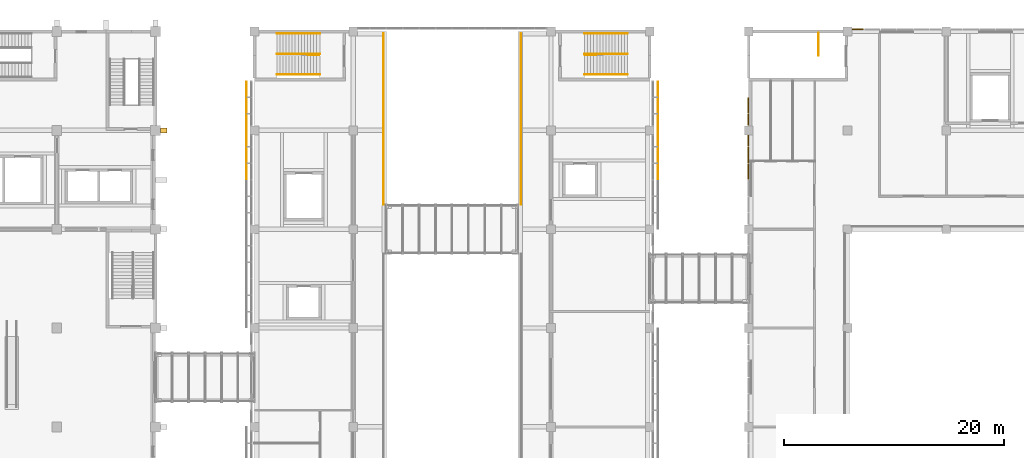
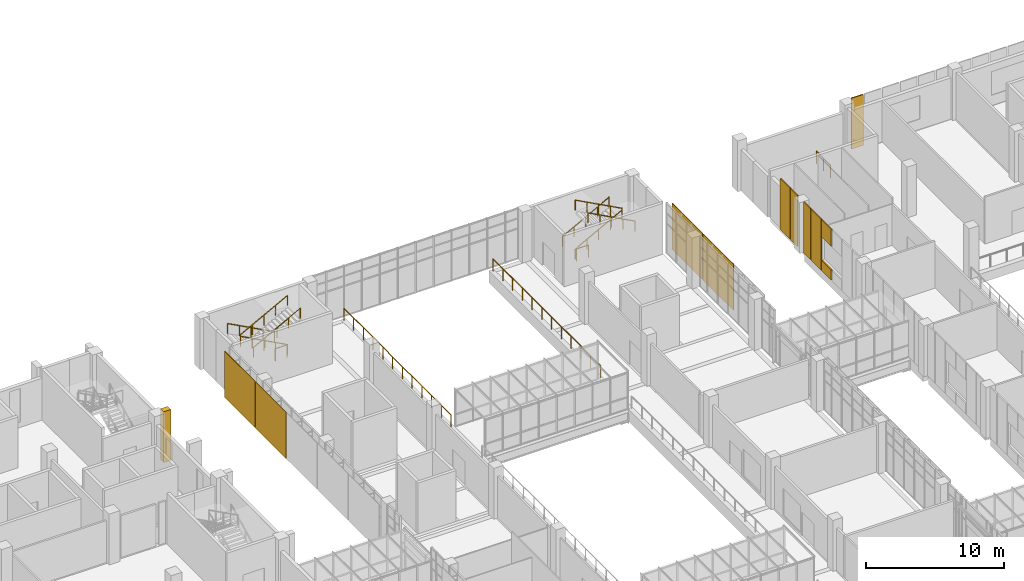
# One storey, part 83 of 88: 13 railings, 12 coverings.
"""IFC4 building model written with IfcOpenShell, lengths in metres."""

from ifc_helpers import new_model, si_unit, direction, frame, origin, origin_2d, place, context, subcontext, project, spatial, rectangle, circle, extrude, material, layer, layer_set, type_object, element, save


model = new_model("IFC4")

# Units and contexts
model_context = context("Model", 3, precision=1e-05, world=origin(), true_north=direction((0.0, 1.0)))
body_context = subcontext(model_context, "Body", "Model", "MODEL_VIEW")
ifc_project = project(units=[si_unit("LENGTHUNIT", "METRE"), si_unit("AREAUNIT", "SQUARE_METRE"), si_unit("VOLUMEUNIT", "CUBIC_METRE"), si_unit("PLANEANGLEUNIT", "RADIAN"), si_unit("MASSUNIT", "GRAM", prefix="KILO")], contexts=[model_context])

# Site, building, storey
site_placement = place(None, origin())
site = spatial("IfcSite", under=ifc_project, at=site_placement, CompositionType="ELEMENT")
building_placement = place(site_placement, origin())
building = spatial("IfcBuilding", under=site, at=building_placement, Name="Guidao Yard Department Store", CompositionType="ELEMENT")
storey_placement = place(building_placement, frame((0.0, 0.0, 6.0)))
storey = spatial("IfcBuildingStorey", under=building, at=storey_placement, Name="L01", CompositionType="ELEMENT", Elevation=6.0)

# Coverings
ifc_material_1 = material(Name="Clinker brick", Category="masonry")
ifc_layer_1 = layer(ifc_material_1, 0.10009765625)
ifc_layer_set_1 = layer_set([ifc_layer_1], Name="Clinker brick panel BR1 on rainscreen")
covering_type_1 = type_object("IfcCoveringType", Name="Clinker brick panel BR1 on rainscreen", PredefinedType="CLADDING", material=ifc_layer_set_1)
covering_1_placement = place(storey_placement, frame((116.949951171875, 95.25, 0.0), z_axis=(0.0, 0.0, 1.0), x_axis=(0.0, 1.0, 0.0)))
element("IfcCovering", 1, at=covering_1_placement, inside=storey, type_object=covering_type_1, Name="Clinker brick panel", PredefinedType="CLADDING", context=body_context, shape_type="SweptSolid", body=[
    extrude(rectangle(XDim=1.39990234375, YDim=0.10009765625, at=origin_2d()), origin(), (0.0, 0.0, 1.0), 0.89990234375),
])
covering_2_placement = place(storey_placement, frame((116.949951171875, 95.25, 3.0), z_axis=(0.0, 0.0, 1.0), x_axis=(0.0, 1.0, 0.0)))
element("IfcCovering", 2, at=covering_2_placement, inside=storey, type_object=covering_type_1, Name="Clinker brick panel", PredefinedType="CLADDING", context=body_context, shape_type="SweptSolid", body=[
    extrude(rectangle(XDim=1.39990234375, YDim=0.10009765625, at=origin_2d()), origin(), (0.0, 0.0, 1.0), 1.5),
])
covering_3_placement = place(storey_placement, frame((116.949951171875, 96.75, 0.0), z_axis=(0.0, 0.0, 1.0), x_axis=(0.0, 1.0, 0.0)))
element("IfcCovering", 3, at=covering_3_placement, inside=storey, type_object=covering_type_1, Name="Clinker brick panel", PredefinedType="CLADDING", context=body_context, shape_type="SweptSolid", body=[
    extrude(rectangle(XDim=1.39990234375, YDim=0.10009765625, at=origin_2d()), origin(), (0.0, 0.0, 1.0), 4.5),
])
for number, where, z_axis, x_axis, name in (
    (4, (116.949951171875, 98.050048828125, 0.0), (0.0, 0.0, 1.0), (0.0, 1.0, 0.0), "Clinker brick panel"),
    (5, (116.949951171875, 99.949951171875, 0.0), (0.0, 0.0, 1.0), (0.0, 1.0, 0.0), "Clinker brick panel"),
):
    element("IfcCovering", number, at=place(storey_placement, frame(where, z_axis=z_axis, x_axis=x_axis)), inside=storey, type_object=covering_type_1, Name=name, PredefinedType="CLADDING", context=body_context, shape_type="SweptSolid", body=[
        extrude(rectangle(XDim=1.0, YDim=0.10009765625, at=origin_2d()), origin(), (0.0, 0.0, 1.0), 4.5),
    ])
covering_4_placement = place(storey_placement, frame((116.949951171875, 101.25, 0.0), z_axis=(0.0, 0.0, 1.0), x_axis=(0.0, 1.0, 0.0)))
element("IfcCovering", 6, at=covering_4_placement, inside=storey, type_object=covering_type_1, Name="Clinker brick panel", PredefinedType="CLADDING", context=body_context, shape_type="SweptSolid", body=[
    extrude(rectangle(XDim=1.39990234375, YDim=0.10009765625, at=origin_2d()), origin(), (0.0, 0.0, 1.0), 4.5),
])
covering_5_placement = place(storey_placement, frame((126.949951171875, 108.199951171875, 0.0), z_axis=(0.0, 0.0, 1.0), x_axis=(1.0, 0.0, 0.0)))
element("IfcCovering", 7, at=covering_5_placement, inside=storey, type_object=covering_type_1, Name="Clinker brick panel", PredefinedType="CLADDING", context=body_context, shape_type="SweptSolid", body=[
    extrude(rectangle(XDim=1.0, YDim=0.10009765625, at=origin_2d()), origin(), (0.0, 0.0, 1.0), 4.5),
])

# Railings
ifc_material_2 = material(Name="Steel Q235", Category="steel")
railing_type_1 = type_object("IfcRailingType", Name="Guard steel balustrade 1100", PredefinedType="GUARDRAIL", material=ifc_material_2)
railing_1_placement = place(storey_placement, frame((123.35009765625, 105.824951171875, 0.0)))
element("IfcRailing", 8, at=railing_1_placement, inside=storey, type_object=railing_type_1, Name="Stair F3 guard L01 11", PredefinedType="GUARDRAIL", context=body_context, shape_type="SweptSolid", body=[
    extrude(circle(Radius=0.02392578125, at=origin_2d()), frame((0.0, 0.0, 1.076171875), z_axis=(0.0, 1.0, 0.0), x_axis=(-1.0, 0.0, 0.0)), (0.0, 0.0, 1.0), 2.050048828125),
    extrude(circle(Radius=0.02099609375, at=origin_2d()), origin(), (0.0, 0.0, 1.0), 1.052001953125),
    extrude(circle(Radius=0.02099609375, at=origin_2d()), frame((0.0, 1.02490234375, 0.0)), (0.0, 0.0, 1.0), 1.052001953125),
    extrude(circle(Radius=0.02099609375, at=origin_2d()), frame((0.0, 2.050048828125, 0.0)), (0.0, 0.0, 1.0), 1.052001953125),
])
railing_2_placement = place(storey_placement, frame((77.889892578125, 105.875, 0.0)))
element("IfcRailing", 9, at=railing_2_placement, inside=storey, type_object=railing_type_1, Name="Stair G2 guard L01 13", PredefinedType="GUARDRAIL", context=body_context, shape_type="SweptSolid", body=[
    extrude(circle(Radius=0.02392578125, at=origin_2d()), frame((0.0, 0.0, 1.076171875), z_axis=(-1.0, 0.0, 0.0), x_axis=(0.0, -1.0, 0.0)), (0.0, 0.0, 1.0), 1.0),
    extrude(circle(Radius=0.02099609375, at=origin_2d()), origin(), (0.0, 0.0, 1.0), 1.052001953125),
    extrude(circle(Radius=0.02099609375, at=origin_2d()), frame((-1.0, 0.0, 0.0)), (0.0, 0.0, 1.0), 1.052001953125),
])
railing_3_placement = place(storey_placement, frame((102.110107421875, 105.875, 0.0)))
element("IfcRailing", 10, at=railing_3_placement, inside=storey, type_object=railing_type_1, Name="Stair G4 guard L01 15", PredefinedType="GUARDRAIL", context=body_context, shape_type="SweptSolid", body=[
    extrude(circle(Radius=0.02392578125, at=origin_2d()), frame((0.0, 0.0, 1.076171875), z_axis=(1.0, 0.0, 0.0), x_axis=(0.0, 1.0, 0.0)), (0.0, 0.0, 1.0), 1.0),
    extrude(circle(Radius=0.02099609375, at=origin_2d()), origin(), (0.0, 0.0, 1.0), 1.052001953125),
    extrude(circle(Radius=0.02099609375, at=origin_2d()), frame((1.0, 0.0, 0.0)), (0.0, 0.0, 1.0), 1.052001953125),
])
for number, where, name in (
    (11, (83.75, 92.25, 0.0), "Guard gallery W3 L01"),
    (12, (96.25, 92.25, 0.0), "Guard gallery E3 L01"),
):
    element("IfcRailing", number, at=place(storey_placement, frame(where)), inside=storey, type_object=railing_type_1, Name=name, PredefinedType="GUARDRAIL", context=body_context, shape_type="SweptSolid", body=[
        extrude(circle(Radius=0.02392578125, at=origin_2d()), frame((0.0, 0.0, 1.076171875), z_axis=(0.0, 1.0, 0.0), x_axis=(-1.0, 0.0, 0.0)), (0.0, 0.0, 1.0), 15.550048828125),
        extrude(circle(Radius=0.02099609375, at=origin_2d()), origin(), (0.0, 0.0, 1.0), 1.052001953125),
        extrude(circle(Radius=0.02099609375, at=origin_2d()), frame((0.0, 1.41357421875, 0.0)), (0.0, 0.0, 1.0), 1.052001953125),
        extrude(circle(Radius=0.02099609375, at=origin_2d()), frame((0.0, 2.827392578125, 0.0)), (0.0, 0.0, 1.0), 1.052001953125),
        extrude(circle(Radius=0.02099609375, at=origin_2d()), frame((0.0, 4.240966796875, 0.0)), (0.0, 0.0, 1.0), 1.052001953125),
        extrude(circle(Radius=0.02099609375, at=origin_2d()), frame((0.0, 5.654541015625, 0.0)), (0.0, 0.0, 1.0), 1.052001953125),
        extrude(circle(Radius=0.02099609375, at=origin_2d()), frame((0.0, 7.068115234375, 0.0)), (0.0, 0.0, 1.0), 1.052001953125),
        extrude(circle(Radius=0.02099609375, at=origin_2d()), frame((0.0, 8.48193359375, 0.0)), (0.0, 0.0, 1.0), 1.052001953125),
        extrude(circle(Radius=0.02099609375, at=origin_2d()), frame((0.0, 9.8955078125, 0.0)), (0.0, 0.0, 1.0), 1.052001953125),
        extrude(circle(Radius=0.02099609375, at=origin_2d()), frame((0.0, 11.30908203125, 0.0)), (0.0, 0.0, 1.0), 1.052001953125),
        extrude(circle(Radius=0.02099609375, at=origin_2d()), frame((0.0, 12.72265625, 0.0)), (0.0, 0.0, 1.0), 1.052001953125),
        extrude(circle(Radius=0.02099609375, at=origin_2d()), frame((0.0, 14.136474609375, 0.0)), (0.0, 0.0, 1.0), 1.052001953125),
        extrude(circle(Radius=0.02099609375, at=origin_2d()), frame((0.0, 15.550048828125, 0.0)), (0.0, 0.0, 1.0), 1.052001953125),
    ])
ifc_material_3 = material(Name="Steel Q235", Category="steel")
railing_type_2 = type_object("IfcRailingType", Name="Handrail steel tube 48", PredefinedType="HANDRAIL", material=ifc_material_3)
for number, where, name in (
    (13, (77.949951171875, 107.81494140625, 0.14990234375), "Stair G2 hand rail L01 41"),
    (14, (77.949951171875, 105.949951171875, 0.14990234375), "Stair G2 hand rail L01 42"),
):
    element("IfcRailing", number, at=place(storey_placement, frame(where)), inside=storey, type_object=railing_type_2, Name=name, PredefinedType="HANDRAIL", context=body_context, shape_type="SweptSolid", body=[
        extrude(circle(Radius=0.02392578125, at=origin_2d()), frame((0.0, 0.0, 0.8759765625), z_axis=(-0.881466911329, 0.0, 0.472245787945), x_axis=(0.0, -1.0, 0.0)), (0.0, 0.0, 1.0), 4.447021484375),
        extrude(circle(Radius=0.02099609375, at=origin_2d()), origin(), (0.0, 0.0, 1.0), 0.851806640625),
        extrude(circle(Radius=0.02099609375, at=origin_2d()), frame((-0.97998046875, 0.0, 0.52490234375)), (0.0, 0.0, 1.0), 0.851806640625),
        extrude(circle(Radius=0.02099609375, at=origin_2d()), frame((-1.9599609375, 0.0, 1.050048828125)), (0.0, 0.0, 1.0), 0.851806640625),
        extrude(circle(Radius=0.02099609375, at=origin_2d()), frame((-2.93994140625, 0.0, 1.5751953125)), (0.0, 0.0, 1.0), 0.851806640625),
        extrude(circle(Radius=0.02099609375, at=origin_2d()), frame((-3.919921875, 0.0, 2.10009765625)), (0.0, 0.0, 1.0), 0.851806640625),
    ])
for number, where, name in (
    (15, (74.030029296875, 104.0849609375, 2.39990234375), "Stair G2 hand rail L01 43"),
    (16, (74.030029296875, 105.949951171875, 2.39990234375), "Stair G2 hand rail L01 44"),
    (17, (102.050048828125, 107.81494140625, 0.14990234375), "Stair G4 hand rail L01 49"),
    (18, (102.050048828125, 105.949951171875, 0.14990234375), "Stair G4 hand rail L01 50"),
):
    element("IfcRailing", number, at=place(storey_placement, frame(where)), inside=storey, type_object=railing_type_2, Name=name, PredefinedType="HANDRAIL", context=body_context, shape_type="SweptSolid", body=[
        extrude(circle(Radius=0.02392578125, at=origin_2d()), frame((0.0, 0.0, 0.8759765625), z_axis=(0.881466911329, 0.0, 0.472245787945), x_axis=(0.0, 1.0, 0.0)), (0.0, 0.0, 1.0), 4.447021484375),
        extrude(circle(Radius=0.02099609375, at=origin_2d()), origin(), (0.0, 0.0, 1.0), 0.851806640625),
        extrude(circle(Radius=0.02099609375, at=origin_2d()), frame((0.97998046875, 0.0, 0.52490234375)), (0.0, 0.0, 1.0), 0.851806640625),
        extrude(circle(Radius=0.02099609375, at=origin_2d()), frame((1.9599609375, 0.0, 1.050048828125)), (0.0, 0.0, 1.0), 0.851806640625),
        extrude(circle(Radius=0.02099609375, at=origin_2d()), frame((2.93994140625, 0.0, 1.5751953125)), (0.0, 0.0, 1.0), 0.851806640625),
        extrude(circle(Radius=0.02099609375, at=origin_2d()), frame((3.919921875, 0.0, 2.10009765625)), (0.0, 0.0, 1.0), 0.851806640625),
    ])
for number, where, name in (
    (19, (105.969970703125, 104.0849609375, 2.39990234375), "Stair G4 hand rail L01 51"),
    (20, (105.969970703125, 105.949951171875, 2.39990234375), "Stair G4 hand rail L01 52"),
):
    element("IfcRailing", number, at=place(storey_placement, frame(where)), inside=storey, type_object=railing_type_2, Name=name, PredefinedType="HANDRAIL", context=body_context, shape_type="SweptSolid", body=[
        extrude(circle(Radius=0.02392578125, at=origin_2d()), frame((0.0, 0.0, 0.8759765625), z_axis=(-0.881466911329, 0.0, 0.472245787945), x_axis=(0.0, -1.0, 0.0)), (0.0, 0.0, 1.0), 4.447021484375),
        extrude(circle(Radius=0.02099609375, at=origin_2d()), origin(), (0.0, 0.0, 1.0), 0.851806640625),
        extrude(circle(Radius=0.02099609375, at=origin_2d()), frame((-0.97998046875, 0.0, 0.52490234375)), (0.0, 0.0, 1.0), 0.851806640625),
        extrude(circle(Radius=0.02099609375, at=origin_2d()), frame((-1.9599609375, 0.0, 1.050048828125)), (0.0, 0.0, 1.0), 0.851806640625),
        extrude(circle(Radius=0.02099609375, at=origin_2d()), frame((-2.93994140625, 0.0, 1.5751953125)), (0.0, 0.0, 1.0), 0.851806640625),
        extrude(circle(Radius=0.02099609375, at=origin_2d()), frame((-3.919921875, 0.0, 2.10009765625)), (0.0, 0.0, 1.0), 0.851806640625),
    ])

# Coverings
ifc_material_4 = material(Name="Galvanised steel Q235 perforated plate", Category="steel")
ifc_layer_2 = layer(ifc_material_4, 0.0400390625)
ifc_layer_set_2 = layer_set([ifc_layer_2], Name="Perforated screen PS1 galvanised steel")
covering_type_2 = type_object("IfcCoveringType", Name="Perforated screen PS1 galvanised steel", PredefinedType="CLADDING", material=ifc_layer_set_2)
for number, where, z_axis, x_axis, name in (
    (21, (71.27001953125, 96.75, 0.199951171875), (0.0, 0.0, 1.0), (0.0, 1.0, 0.0), "Perforated screen"),
    (22, (71.27001953125, 101.25, 0.199951171875), (0.0, 0.0, 1.0), (0.0, 1.0, 0.0), "Perforated screen"),
    (23, (108.72998046875, 96.75, 0.199951171875), (0.0, 0.0, 1.0), (0.0, -1.0, 0.0), "Perforated screen"),
    (24, (108.72998046875, 101.25, 0.199951171875), (0.0, 0.0, 1.0), (0.0, -1.0, 0.0), "Perforated screen"),
):
    element("IfcCovering", number, at=place(storey_placement, frame(where, z_axis=z_axis, x_axis=x_axis)), inside=storey, type_object=covering_type_2, Name=name, PredefinedType="CLADDING", context=body_context, shape_type="SweptSolid", body=[
        extrude(rectangle(XDim=4.39990234375, YDim=0.0400390625, at=origin_2d()), origin(), (0.0, 0.0, 1.0), 4.10009765625),
    ])
ifc_material_5 = material(Name="Precast concrete C40/50", Category="concrete")
ifc_layer_3 = layer(ifc_material_5, 0.449951171875)
ifc_layer_set_3 = layer_set([ifc_layer_3], Name="Precast fin FN1 board-formed concrete")
covering_type_3 = type_object("IfcCoveringType", Name="Precast fin FN1 board-formed concrete", PredefinedType="CLADDING", material=ifc_layer_set_3)
covering_6_placement = place(storey_placement, frame((63.75, 99.0, 0.0), z_axis=(0.0, 0.0, 1.0), x_axis=(0.0, -1.0, 0.0)))
element("IfcCovering", 25, at=covering_6_placement, inside=storey, type_object=covering_type_3, Name="Precast fin", PredefinedType="CLADDING", context=body_context, shape_type="SweptSolid", body=[
    extrude(rectangle(XDim=0.449951171875, YDim=0.60009765625, at=origin_2d()), origin(), (0.0, 0.0, 1.0), 4.5),
])

save(model, "model.ifc")
